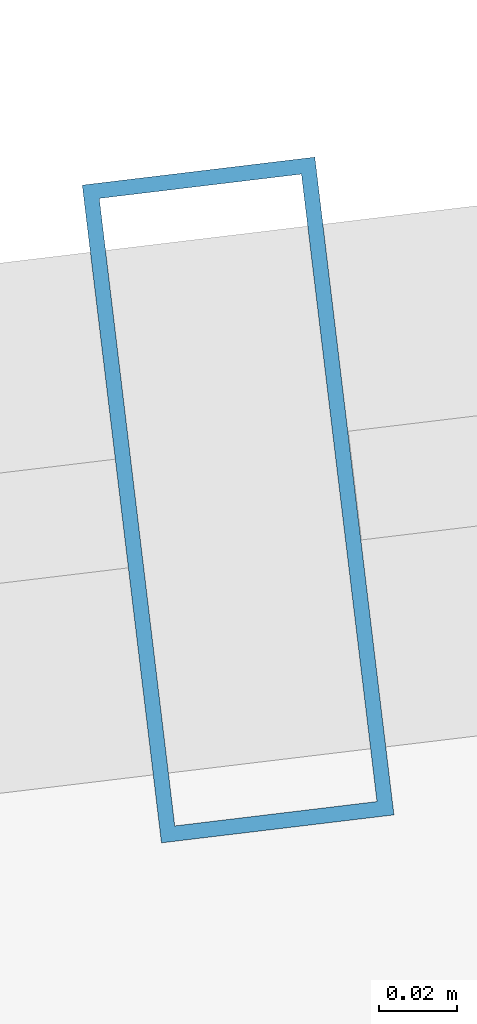
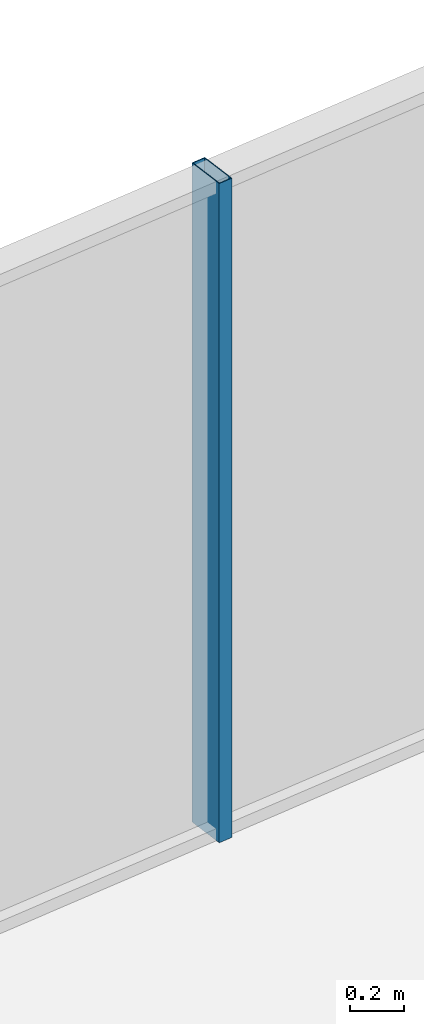
# One storey, part 25 of 37: 1 member, 1 element without a shape of its own.
"""IFC4 building model written with IfcOpenShell, lengths in metres."""

import ifcopenshell
import ifcopenshell.guid

model = None  # the IFC model being written
_history = None  # IfcOwnerHistory: only IFC2X3 demands one
_inside = {}  # id of a spatial element -> (the spatial element, [elements in it])
_under = {}  # id of a project, library or spatial element -> (it, [spatial elements below it])
_declared = {}  # id of a project -> (the project, [libraries it declares])
_typed = {}  # id of a type object -> (the type object, [elements of that type])
_made_of = {}  # id of a material, layer set ... -> (it, [elements and type objects made of it])


def new_model(schema):
    """Start an empty IFC model of exactly this schema.

    Asked for "IFC4X3", IfcOpenShell would pick the latest addendum, in which some entities
    have other attributes; the version numbers below select the first issue.
    IFC2X3 requires an IfcOwnerHistory on every rooted entity: one is made here for all.
    """
    global model, _history
    if schema == "IFC4X3":
        model = ifcopenshell.file(schema_version=(4, 3, 0, 0))
    else:
        model = ifcopenshell.file(schema=schema)
    _inside.clear()
    _under.clear()
    _declared.clear()
    _typed.clear()
    _made_of.clear()
    _history = None
    if model.schema == "IFC2X3":
        org = make("IfcOrganization", Name="unknown")
        user = make(
            "IfcPersonAndOrganization",
            ThePerson=make("IfcPerson", FamilyName="unknown"),
            TheOrganization=org,
        )
        app = make(
            "IfcApplication",
            ApplicationDeveloper=org,
            Version="unknown",
            ApplicationFullName="unknown",
            ApplicationIdentifier="unknown",
        )
        _history = make(
            "IfcOwnerHistory",
            OwningUser=user,
            OwningApplication=app,
            ChangeAction="ADDED",
            CreationDate=0,
        )
    return model


def make(cls, **values):
    """One entity of the class cls with the attributes given. An attribute that is None is left unset."""
    return model.create_entity(
        cls, **{name: value for name, value in values.items() if value is not None}
    )


def rooted(cls, **values):
    """An entity with a GlobalId (a new one), such as an element, a storey or a relation."""
    return make(cls, GlobalId=ifcopenshell.guid.new(), OwnerHistory=_history, **values)


def si_unit(unit_type, name, prefix=None):
    """IfcSIUnit, for example si_unit("LENGTHUNIT", "METRE", prefix="MILLI")."""
    return make("IfcSIUnit", UnitType=unit_type, Prefix=prefix, Name=name)


def assignment(units):
    """IfcUnitAssignment: the units of a project."""
    return None if units is None else make("IfcUnitAssignment", Units=units)


def point(xyz):
    """IfcCartesianPoint."""
    return None if xyz is None else make("IfcCartesianPoint", Coordinates=xyz)


def direction(xyz):
    """IfcDirection."""
    return None if xyz is None else make("IfcDirection", DirectionRatios=xyz)


def frame(location, z_axis=None, x_axis=None):
    """IfcAxis2Placement3D, a coordinate frame: its origin and axes. An axis left out is left unset."""
    return make(
        "IfcAxis2Placement3D",
        Location=point(location),
        Axis=direction(z_axis),
        RefDirection=direction(x_axis),
    )


def frame_2d(location, x_axis=None):
    """IfcAxis2Placement2D, a coordinate frame in the plane: its origin and x axis."""
    return make(
        "IfcAxis2Placement2D", Location=point(location), RefDirection=direction(x_axis)
    )


def origin():
    """The frame at (0, 0, 0) with its axes left unset."""
    return frame((0.0, 0.0, 0.0))


def origin_2d():
    """The frame at (0, 0) in the plane with its x axis left unset."""
    return frame_2d((0.0, 0.0))


def place(relative_to, where):
    """IfcLocalPlacement: puts the frame where relative to a parent placement (None: the world)."""
    return make(
        "IfcLocalPlacement", PlacementRelTo=relative_to, RelativePlacement=where
    )


def context(
    kind, dimensions, precision=None, world=None, true_north=None, identifier=None
):
    """IfcGeometricRepresentationContext, for example the 3D "Model" context."""
    return make(
        "IfcGeometricRepresentationContext",
        ContextIdentifier=identifier,
        ContextType=kind,
        CoordinateSpaceDimension=dimensions,
        Precision=precision,
        WorldCoordinateSystem=world,
        TrueNorth=true_north,
    )


def subcontext(parent, identifier, kind, view, scale=None):
    """IfcGeometricRepresentationSubContext, for example "Body" below "Model"."""
    return make(
        "IfcGeometricRepresentationSubContext",
        ContextIdentifier=identifier,
        ContextType=kind,
        ParentContext=parent,
        TargetScale=scale,
        TargetView=view,
    )


def project(units=None, contexts=None):
    """IfcProject with its units and contexts."""
    return rooted(
        "IfcProject",
        Name="project",
        RepresentationContexts=contexts,
        UnitsInContext=assignment(units),
    )


def spatial(cls, under=None, at=None, **own):
    """A site, building, storey or space (cls), placed at a placement, below another one or the project."""
    s = rooted(cls, ObjectPlacement=at, **own)
    if under is not None:
        _under.setdefault(under.id(), (under, []))[1].append(s)
    return s


def profile(cls, at=None, kind="AREA", **sizes):
    """A parametric profile (cls). Its sizes go by their IFC names, for example OverallWidth=200.0."""
    return make(cls, ProfileType=kind, Position=at, **sizes)


def hollow_rectangle(**sizes):
    """IfcRectangleHollowProfileDef."""
    return profile("IfcRectangleHollowProfileDef", **sizes)


def extrude(swept, where, along, depth):
    """IfcExtrudedAreaSolid: the profile swept, set in the frame where, extruded along a direction by depth."""
    return make(
        "IfcExtrudedAreaSolid",
        SweptArea=swept,
        Position=where,
        ExtrudedDirection=direction(along),
        Depth=depth,
    )


def shape(context_of_items, identifier, shape_type, items):
    """IfcShapeRepresentation: the items that make up one representation, for example the "Body"."""
    return make(
        "IfcShapeRepresentation",
        ContextOfItems=context_of_items,
        RepresentationIdentifier=identifier,
        RepresentationType=shape_type,
        Items=items,
    )


def source(mapping_origin, context_of_items, identifier, shape_type, items):
    """IfcRepresentationMap: a shape defined once, which mapped items show again and again."""
    return make(
        "IfcRepresentationMap",
        MappingOrigin=mapping_origin,
        MappedRepresentation=shape(context_of_items, identifier, shape_type, items),
    )


def transform(
    local_origin,
    x_axis=None,
    y_axis=None,
    z_axis=None,
    scale=None,
    scale2=None,
    scale3=None,
    uniform=True,
):
    """IfcCartesianTransformationOperator3D, or its non-uniform kind. x_axis, y_axis, z_axis: its Axis1, 2, 3."""
    if uniform:
        return make(
            "IfcCartesianTransformationOperator3D",
            Axis1=direction(x_axis),
            Axis2=direction(y_axis),
            LocalOrigin=point(local_origin),
            Scale=scale,
            Axis3=direction(z_axis),
        )
    return make(
        "IfcCartesianTransformationOperator3DnonUniform",
        Axis1=direction(x_axis),
        Axis2=direction(y_axis),
        LocalOrigin=point(local_origin),
        Scale=scale,
        Axis3=direction(z_axis),
        Scale2=scale2,
        Scale3=scale3,
    )


def mapped(mapping_source, mapping_target):
    """IfcMappedItem: shows the shape of a source again, moved by a transform."""
    return make(
        "IfcMappedItem", MappingSource=mapping_source, MappingTarget=mapping_target
    )


def material(Name=None, Category=None):
    """IfcMaterial."""
    return make("IfcMaterial", Name=Name, Category=Category)


def layer(
    of_material, thickness, ventilated=None, Name=None, Category=None, Priority=None
):
    """IfcMaterialLayer: one layer of a wall or slab, of a material (None: an air gap)."""
    return make(
        "IfcMaterialLayer",
        Material=of_material,
        LayerThickness=thickness,
        IsVentilated=ventilated,
        Name=Name,
        Category=Category,
        Priority=Priority,
    )


def layer_set(layers, Name=None):
    """IfcMaterialLayerSet."""
    return make("IfcMaterialLayerSet", MaterialLayers=layers, LayerSetName=Name)


def material_profile(
    of_material, cross_section, Name=None, Category=None, Priority=None
):
    """IfcMaterialProfile: a cross section and its material."""
    return make(
        "IfcMaterialProfile",
        Name=Name,
        Material=of_material,
        Profile=cross_section,
        Priority=Priority,
        Category=Category,
    )


def profile_set(profiles, Name=None, composite=None):
    """IfcMaterialProfileSet."""
    return make(
        "IfcMaterialProfileSet",
        Name=Name,
        MaterialProfiles=profiles,
        CompositeProfile=composite,
    )


def made_of(thing, what):
    """Note that an element or type object is made of a material, layer set ...; save() writes the relation."""
    if what is not None:
        _made_of.setdefault(what.id(), (what, []))[1].append(thing)
    return thing


def type_object(cls, material=None, **own):
    """A type object (cls), such as IfcWallType, which elements share."""
    return made_of(rooted(cls, **own), material)


def element(
    cls,
    number,
    at=None,
    inside=None,
    cuts=None,
    type_object=None,
    material=None,
    context=None,
    identifier="Body",
    shape_type=None,
    held_by="IfcProductDefinitionShape",
    body=None,
    shapes=None,
    **own,
):
    """One element of the class cls, such as IfcWall. Its Tag is "e" and its number.

    at: its placement. inside: the storey or other place that contains it. cuts: it is an
    opening in that element (IfcRelVoidsElement). A single representation is given by context,
    identifier, shape_type and body (its items); several are given by shapes. held_by: the class
    of the entity that holds the representations. save() writes the other relations.
    """
    e = rooted(cls, Tag="e%d" % number, ObjectPlacement=at, **own)
    if body is not None:
        shapes = [shape(context, identifier, shape_type, body)]
    if shapes is not None:
        e.Representation = make(held_by, Representations=shapes)
    if inside is not None:
        _inside.setdefault(inside.id(), (inside, []))[1].append(e)
    if cuts is not None:
        rooted(
            "IfcRelVoidsElement", RelatingBuildingElement=cuts, RelatedOpeningElement=e
        )
    if type_object is not None:
        _typed.setdefault(type_object.id(), (type_object, []))[1].append(e)
    return made_of(e, material)


def aggregate(whole, parts):
    """IfcRelAggregates: a whole, such as a stair, and the parts it consists of."""
    return rooted("IfcRelAggregates", RelatingObject=whole, RelatedObjects=parts)


def save(model, path):
    """Write the relations noted so far, then the file.

    IfcRelAggregates (storeys below a building ...), IfcRelContainedInSpatialStructure (elements
    in a storey), IfcRelDefinesByType, IfcRelAssociatesMaterial and IfcRelDeclares: one each for
    every whole, place, type object, material and project.
    """
    for whole, parts in _under.values():
        aggregate(whole, parts)
    for where, things in _inside.values():
        rooted(
            "IfcRelContainedInSpatialStructure",
            RelatedElements=things,
            RelatingStructure=where,
        )
    for kind, things in _typed.values():
        rooted("IfcRelDefinesByType", RelatedObjects=things, RelatingType=kind)
    for what, things in _made_of.values():
        rooted("IfcRelAssociatesMaterial", RelatedObjects=things, RelatingMaterial=what)
    for by, libraries in _declared.values():
        rooted("IfcRelDeclares", RelatingContext=by, RelatedDefinitions=libraries)
    model.write(path)


model = new_model("IFC4")

# Units and contexts
model_context = context("Model", 3, precision=1e-05, world=origin(), true_north=direction((0.0, 1.0)))
body_context = subcontext(model_context, "Body", "Model", "MODEL_VIEW")
ifc_project = project(units=[si_unit("LENGTHUNIT", "METRE"), si_unit("AREAUNIT", "SQUARE_METRE"), si_unit("VOLUMEUNIT", "CUBIC_METRE"), si_unit("PLANEANGLEUNIT", "RADIAN"), si_unit("MASSUNIT", "GRAM", prefix="KILO")], contexts=[model_context])

# Site, building, storey
site_placement = place(None, origin())
site = spatial("IfcSite", under=ifc_project, at=site_placement, CompositionType="ELEMENT")
building_placement = place(site_placement, origin())
building = spatial("IfcBuilding", under=site, at=building_placement, Name="Veraguas Prism Commons", CompositionType="ELEMENT")
storey_placement = place(building_placement, frame((0.0, 0.0, 46.800048828125)))
storey = spatial("IfcBuildingStorey", under=building, at=storey_placement, Name="L12", CompositionType="ELEMENT", Elevation=46.800048828125)

# Curtain wall, member
ifc_material = material(Name="Anodised aluminium EN AW-6063 T6", Category="aluminium")
ifc_layer = layer(ifc_material, 0.169921875, Name="Unitised Flush Curtain Wall Zone 1", Category="aluminium")
ifc_layer_set = layer_set([ifc_layer], Name="Anodised aluminium EN AW-6063 T6")
curtain_wall_type = type_object("IfcCurtainWallType", Name="Unitised Flush Curtain Wall Zone 1", PredefinedType="NOTDEFINED", material=ifc_layer_set)
curtain_wall_placement = place(storey_placement, origin())
curtain_wall = element("IfcCurtainWall", 1, at=curtain_wall_placement, inside=storey, type_object=curtain_wall_type, Name="Tower Facade Curtain Wall L12-F2", PredefinedType="NOTDEFINED")
ifc_material_profile = material_profile(ifc_material, hollow_rectangle(XDim=0.06005859375, YDim=0.169921875, WallThickness=0.00390625, at=origin_2d()), Name="AL60X170X4")
ifc_profile_set = profile_set([ifc_material_profile], Name="Anodised aluminium EN AW-6063 T6")
member_type = type_object("IfcMemberType", Name="Curtain Wall Mullion Lower AL 60x170x4", PredefinedType="MULLION", material=ifc_profile_set)
shared_shape = source(origin(), body_context, "Body", "SweptSolid", [
    extrude(hollow_rectangle(XDim=0.06005859375, YDim=0.169921875, WallThickness=0.00390625, at=origin_2d()), origin(), (0.0, 0.0, 1.0), 3.0),
])
member_placement = place(storey_placement, frame((21.517333984375, 44.6357421875, 0.0), z_axis=(0.0, 0.0, 1.0), x_axis=(-0.992841388261, -0.119440268573, 0.0)))
member = element("IfcMember", 2, at=member_placement, type_object=member_type, Name="CW-Z1 Mullion 3", PredefinedType="MULLION", context=body_context, shape_type="MappedRepresentation", body=[
    mapped(shared_shape, transform((0.0, 0.0, 0.0), scale=1.0)),
])
aggregate(curtain_wall, [member])

save(model, "model.ifc")
